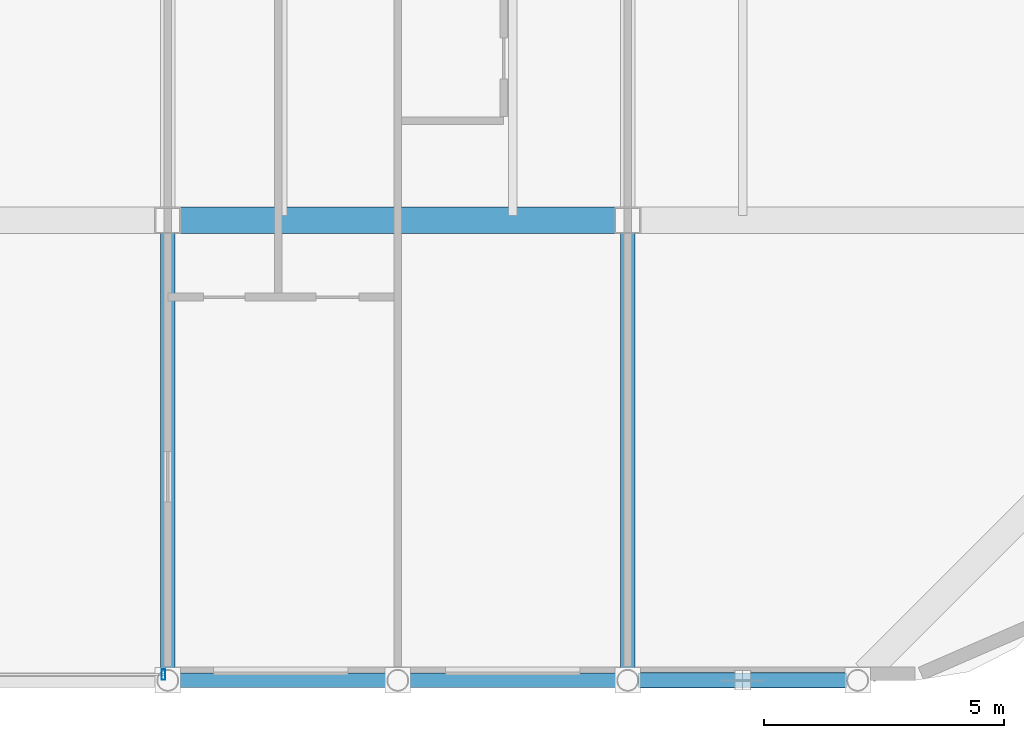
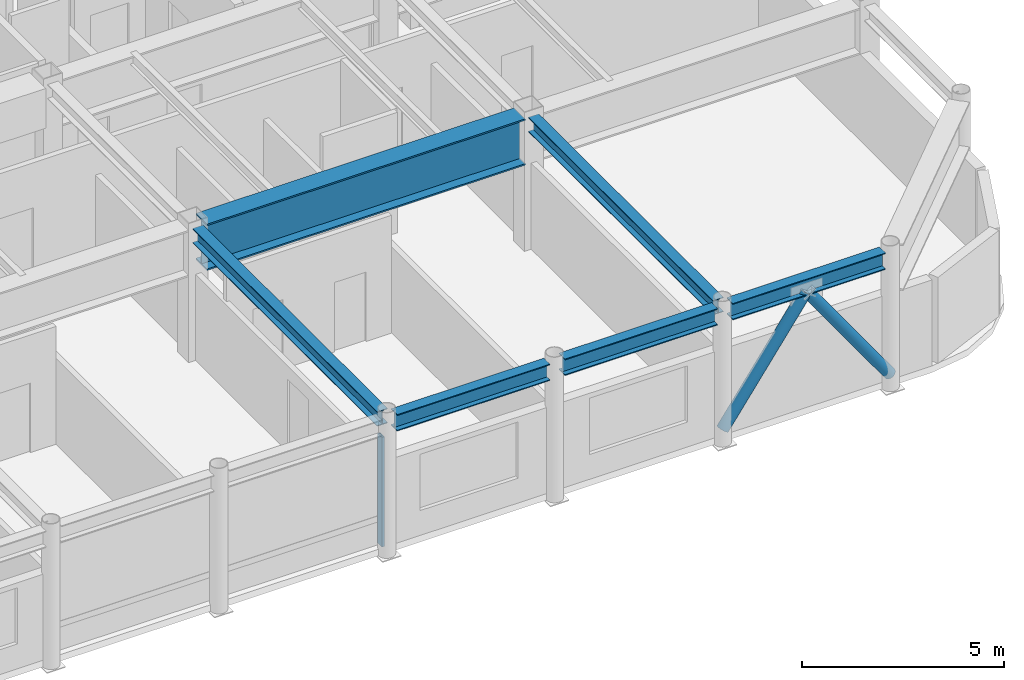
# One storey, part 9 of 23: 6 beams, 3 members, 1 element without a shape of its own.
"""IFC4 building model written with IfcOpenShell, lengths in metres."""

from ifc_helpers import new_model, si_unit, direction, frame, origin, origin_2d, place, context, subcontext, project, spatial, hollow_rectangle, hollow_circle, i_section, extrude, material, layer, layer_set, material_profile, profile_set, type_object, element, aggregate, save


model = new_model("IFC4")

# Units and contexts
model_context = context("Model", 3, precision=1e-05, world=origin(), true_north=direction((0.0, 1.0)))
body_context = subcontext(model_context, "Body", "Model", "MODEL_VIEW")
ifc_project = project(units=[si_unit("LENGTHUNIT", "METRE"), si_unit("AREAUNIT", "SQUARE_METRE"), si_unit("VOLUMEUNIT", "CUBIC_METRE"), si_unit("PLANEANGLEUNIT", "RADIAN"), si_unit("MASSUNIT", "GRAM", prefix="KILO")], contexts=[model_context])

# Site, building, storey
site_placement = place(None, origin())
site = spatial("IfcSite", under=ifc_project, at=site_placement, CompositionType="ELEMENT")
building_placement = place(site_placement, origin())
building = spatial("IfcBuilding", under=site, at=building_placement, Name="Kallvorn Hotel Tower", CompositionType="ELEMENT")
storey_placement = place(building_placement, frame((0.0, 0.0, 282.199951171875)))
storey = spatial("IfcBuildingStorey", under=building, at=storey_placement, Name="L70", CompositionType="ELEMENT", Elevation=282.199951171875)

# Beams
ifc_material_1 = material(Name="Structural steel S355JR", Category="steel")
ifc_material_profile_1 = material_profile(ifc_material_1, i_section(OverallWidth=0.300048828125, OverallDepth=0.43994140625, WebThickness=0.011474609375, FlangeThickness=0.02099609375, at=origin_2d()), Name="HE 450 A")
ifc_profile_set_1 = profile_set([ifc_material_profile_1], Name="Structural steel S355JR")
beam_type_1 = type_object("IfcBeamType", Name="BM_HE450A", PredefinedType="BEAM", material=ifc_profile_set_1)
for number, where, z_axis, x_axis, name in (
    (1, (4.800048828125, -23.79638671875, 3.780029296875), (0.0, 1.0, 0.0), (-1.0, 0.0, 0.0), "L71 Primary Y-Girder 40"),
    (2, (14.39990234375, -23.79638671875, 3.780029296875), (0.0, 1.0, 0.0), (-1.0, 0.0, 0.0), "L71 Primary Y-Girder 43"),
):
    element("IfcBeam", number, at=place(storey_placement, frame(where, z_axis=z_axis, x_axis=x_axis)), inside=storey, type_object=beam_type_1, Name=name, PredefinedType="BEAM", context=body_context, shape_type="SweptSolid", body=[
        extrude(i_section(OverallWidth=0.300048828125, OverallDepth=0.43994140625, WebThickness=0.011474609375, FlangeThickness=0.02099609375, at=origin_2d()), origin(), (0.0, 0.0, 1.0), 9.146484375),
    ])
ifc_material_2 = material(Name="Structural steel S355JR", Category="steel")
ifc_material_profile_2 = material_profile(ifc_material_2, i_section(OverallWidth=0.300048828125, OverallDepth=0.5, WebThickness=0.014404296875, FlangeThickness=0.028076171875, at=origin_2d()), Name="HE 500 B")
ifc_profile_set_2 = profile_set([ifc_material_profile_2], Name="Structural steel S355JR")
beam_type_2 = type_object("IfcBeamType", Name="BM_HE500B", PredefinedType="SPANDREL", material=ifc_profile_set_2)
beam_1_placement = place(storey_placement, frame((5.0185546875, -24.0, 3.75), z_axis=(1.0, 0.0, 0.0), x_axis=(0.0, 1.0, 0.0)))
element("IfcBeam", 3, at=beam_1_placement, inside=storey, type_object=beam_type_2, Name="L71 Perimeter Spandrel 60", PredefinedType="SPANDREL", context=body_context, shape_type="SweptSolid", body=[
    extrude(i_section(OverallWidth=0.300048828125, OverallDepth=0.5, WebThickness=0.014404296875, FlangeThickness=0.028076171875, at=origin_2d()), origin(), (0.0, 0.0, 1.0), 4.363037109375),
])
beam_2_placement = place(storey_placement, frame((9.818603515625, -24.0, 3.75), z_axis=(1.0, 0.0, 0.0), x_axis=(0.0, 1.0, 0.0)))
element("IfcBeam", 4, at=beam_2_placement, inside=storey, type_object=beam_type_2, Name="L71 Perimeter Spandrel 61", PredefinedType="SPANDREL", context=body_context, shape_type="SweptSolid", body=[
    extrude(i_section(OverallWidth=0.300048828125, OverallDepth=0.5, WebThickness=0.014404296875, FlangeThickness=0.028076171875, at=origin_2d()), origin(), (0.0, 0.0, 1.0), 4.36279296875),
])
beam_3_placement = place(storey_placement, frame((14.618408203125, -24.0, 3.75), z_axis=(1.0, 0.0, 0.0), x_axis=(0.0, 1.0, 0.0)))
element("IfcBeam", 5, at=beam_3_placement, inside=storey, type_object=beam_type_2, Name="L71 Perimeter Spandrel 62", PredefinedType="SPANDREL", context=body_context, shape_type="SweptSolid", body=[
    extrude(i_section(OverallWidth=0.300048828125, OverallDepth=0.5, WebThickness=0.014404296875, FlangeThickness=0.028076171875, at=origin_2d()), origin(), (0.0, 0.0, 1.0), 4.363037109375),
])
ifc_material_3 = material(Name="Structural steel S355JR", Category="steel")
ifc_material_profile_3 = material_profile(ifc_material_3, i_section(OverallWidth=0.550048828125, OverallDepth=1.39990234375, WebThickness=0.02490234375, FlangeThickness=0.044921875, at=origin_2d()), Name="PG 1400x550x25x45")
ifc_profile_set_3 = profile_set([ifc_material_profile_3], Name="Structural steel S355JR")
beam_type_3 = type_object("IfcBeamType", Name="BM_PG_1400", PredefinedType="BEAM", material=ifc_profile_set_3)
beam_4_placement = place(storey_placement, frame((5.050048828125, -14.39990234375, 3.300048828125), z_axis=(1.0, 0.0, 0.0), x_axis=(0.0, 1.0, 0.0)))
element("IfcBeam", 6, at=beam_4_placement, inside=storey, type_object=beam_type_3, Name="L71 Primary X-Girder 05", PredefinedType="BEAM", context=body_context, shape_type="SweptSolid", body=[
    extrude(i_section(OverallWidth=0.550048828125, OverallDepth=1.39990234375, WebThickness=0.02490234375, FlangeThickness=0.044921875, at=origin_2d()), origin(), (0.0, 0.0, 1.0), 9.099853515625),
])

# Curtain wall, member
ifc_material_4 = material(Name="Thermally broken black-anodised aluminium AA 6063-T6", Category="aluminium")
ifc_layer = layer(ifc_material_4, 0.25)
ifc_layer_set = layer_set([ifc_layer], Name="CW_SYS_6_SUMMIT_OBS")
curtain_wall_type = type_object("IfcCurtainWallType", Name="CW_SYS_6_SUMMIT_OBS", PredefinedType="USERDEFINED", material=ifc_layer_set)
curtain_wall_placement = place(storey_placement, origin())
curtain_wall = element("IfcCurtainWall", 7, at=curtain_wall_placement, inside=storey, type_object=curtain_wall_type, Name="L70 Dark-Glass Curtain Wall CW-L70-SC", ObjectType="UNITISED CURTAIN WALL", PredefinedType="USERDEFINED")
ifc_material_5 = material(Name="Thermally broken black-anodised aluminium AA 6063-T6", Category="aluminium")
ifc_material_profile_4 = material_profile(ifc_material_5, hollow_rectangle(XDim=0.080078125, YDim=0.219970703125, WallThickness=0.0048828125, at=origin_2d()), Name="MUL 220x80")
ifc_profile_set_4 = profile_set([ifc_material_profile_4], Name="Thermally broken black-anodised aluminium AA 6063-T6")
member_type_1 = type_object("IfcMemberType", Name="CW_MULLION_220x80", PredefinedType="MULLION", material=ifc_profile_set_4)
member_placement = place(storey_placement, frame((4.7099609375, -23.8798828125, 0.02001953125), z_axis=(0.0, 0.0, 1.0), x_axis=(1.0, 0.0, 0.0)))
member = element("IfcMember", 8, at=member_placement, type_object=member_type_1, Name="CW-L70-SC Mullion 02", PredefinedType="MULLION", context=body_context, shape_type="SweptSolid", body=[
    extrude(hollow_rectangle(XDim=0.080078125, YDim=0.219970703125, WallThickness=0.0048828125, at=origin_2d()), origin(), (0.0, 0.0, 1.0), 3.31005859375),
])
aggregate(curtain_wall, [member])

# Members
ifc_material_6 = material(Name="Structural steel S355J2H", Category="steel")
ifc_material_profile_5 = material_profile(ifc_material_6, hollow_circle(Radius=0.161865234375, WallThickness=0.012451171875, at=origin_2d()), Name="CHS 323.9x12.5")
ifc_profile_set_5 = profile_set([ifc_material_profile_5], Name="Structural steel S355J2H")
member_type_2 = type_object("IfcMemberType", Name="MBR_EXO_CHS323", PredefinedType="BRACE", material=ifc_profile_set_5)
for number, where, z_axis, x_axis, name in (
    (9, (14.41162109375, -24.0, 0.1962890625), (0.581238193719, 0.0, 0.813733471207), (0.0, 1.0, 0.0), "L70 Exoskeleton K-Brace S2A"),
    (10, (19.1884765625, -24.0, 0.1962890625), (-0.581277726734, 0.0, 0.813705231888), (0.0, -1.0, 0.0), "L70 Exoskeleton K-Brace S2B"),
):
    element("IfcMember", number, at=place(storey_placement, frame(where, z_axis=z_axis, x_axis=x_axis)), inside=storey, type_object=member_type_2, Name=name, PredefinedType="BRACE", context=body_context, shape_type="SweptSolid", body=[
        extrude(hollow_circle(Radius=0.161865234375, WallThickness=0.012451171875, at=origin_2d()), origin(), (0.0, 0.0, 1.0), 4.089111328125),
    ])

save(model, "model.ifc")
